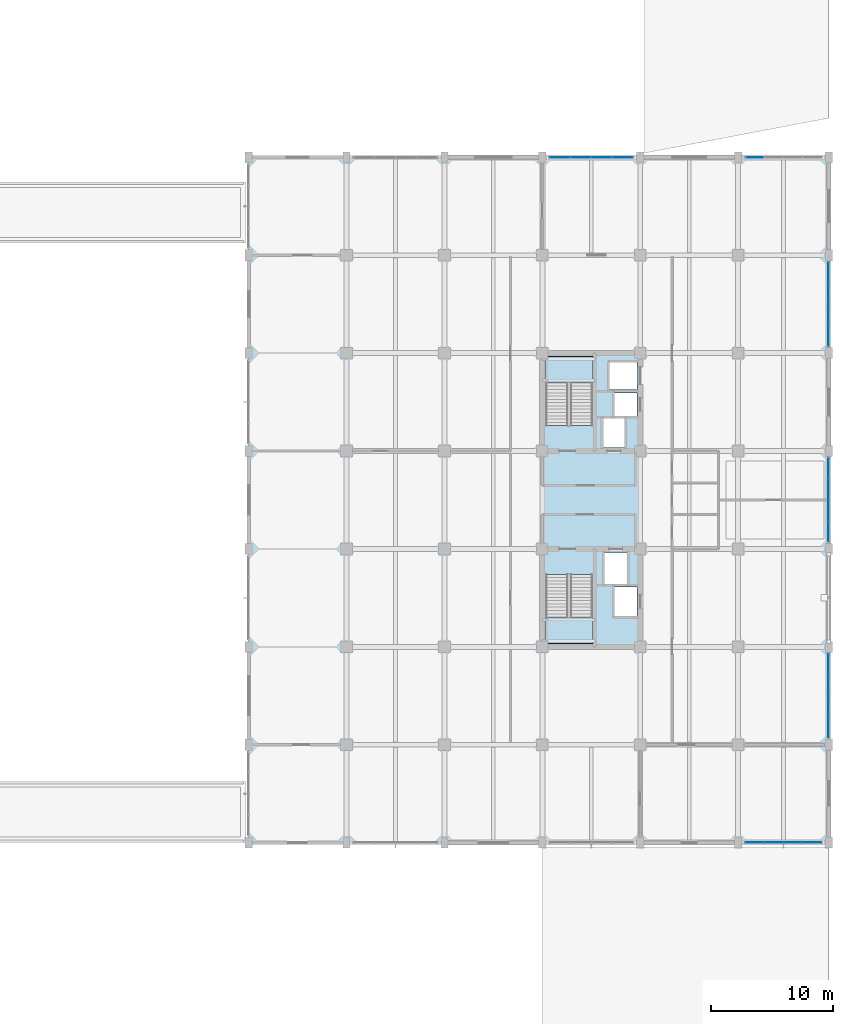
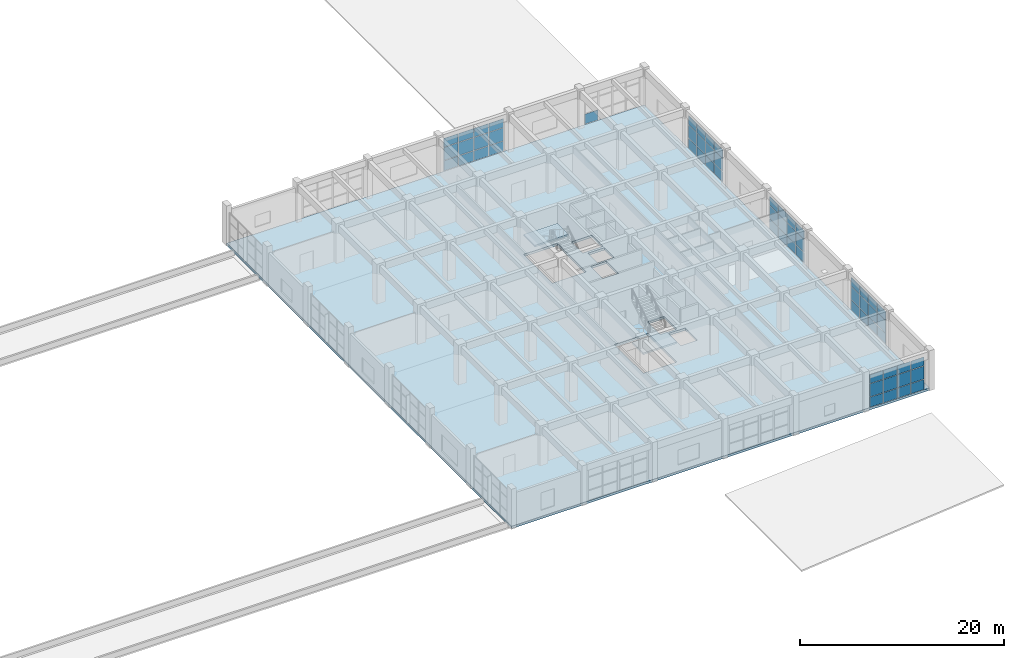
# One storey, part 45 of 63: 61 plates, 3 slabs, 8 elements without a shape of their own.
"""IFC4 building model written with IfcOpenShell, lengths in metres."""

from ifc_helpers import new_model, si_unit, direction, frame, origin, origin_2d, place, context, subcontext, project, spatial, polyline, rectangle, outline, extrude, material, layer, layer_set, type_object, element, aggregate, save


model = new_model("IFC4")

# Units and contexts
model_context = context("Model", 3, precision=1e-05, world=origin(), true_north=direction((0.0, 1.0)))
body_context = subcontext(model_context, "Body", "Model", "MODEL_VIEW")
ifc_project = project(units=[si_unit("LENGTHUNIT", "METRE"), si_unit("AREAUNIT", "SQUARE_METRE"), si_unit("VOLUMEUNIT", "CUBIC_METRE"), si_unit("PLANEANGLEUNIT", "RADIAN"), si_unit("MASSUNIT", "GRAM", prefix="KILO")], contexts=[model_context])

# Site, building, storey
site_placement = place(None, origin())
site = spatial("IfcSite", under=ifc_project, at=site_placement, CompositionType="ELEMENT")
building_placement = place(site_placement, origin())
building = spatial("IfcBuilding", under=site, at=building_placement, Name="Canggui Botanical Conservatory", CompositionType="ELEMENT")
storey_placement = place(building_placement, frame((0.0, 0.0, 10.199951171875)))
storey = spatial("IfcBuildingStorey", under=building, at=storey_placement, Name="L03", CompositionType="ELEMENT", Elevation=10.199951171875)

# Curtain wall, plates
ifc_material_1 = material(Name="Thermally Broken Aluminium", Category="aluminium")
ifc_layer_1 = layer(ifc_material_1, 0.14990234375, Name="Thermally Broken Aluminium", Category="aluminium")
ifc_layer_set_1 = layer_set([ifc_layer_1], Name="Thermally Broken Aluminium")
curtain_wall_type = type_object("IfcCurtainWallType", Name="CW-UNIT-C", PredefinedType="USERDEFINED", material=ifc_layer_set_1)
curtain_wall_1_placement = place(storey_placement, origin())
curtain_wall_1 = element("IfcCurtainWall", 1, at=curtain_wall_1_placement, inside=storey, type_object=curtain_wall_type, Name="Facade Curtain Wall CW-TWR-L03-01", ObjectType="UNITISED CURTAIN WALL", PredefinedType="USERDEFINED")
ifc_material_2 = material(Name="Low-E Insulated Glass", Category="glass")
ifc_layer_2 = layer(ifc_material_2, 0.033935546875, Name="Low-E Insulated Glass", Category="glass")
ifc_layer_set_2 = layer_set([ifc_layer_2], Name="Low-E Insulated Glass")
plate_type = type_object("IfcPlateType", Name="CWP-03", PredefinedType="CURTAIN_PANEL", material=ifc_layer_set_2)
plate_1_placement = place(storey_placement, frame((176.0400390625, 26.0, 0.05517578125), z_axis=(0.0, 0.0, 1.0), x_axis=(-1.0, 0.0, 0.0)))
plate_1 = element("IfcPlate", 2, at=plate_1_placement, type_object=plate_type, Name="CW-03 panel 1.1", PredefinedType="CURTAIN_PANEL", context=body_context, shape_type="SweptSolid", body=[
    extrude(rectangle(XDim=1.47998046875, YDim=0.033935546875, at=origin_2d()), origin(), (0.0, 0.0, 1.0), 1.197509765625),
])
plate_2_placement = place(storey_placement, frame((176.0400390625, 26.0, 1.3076171875), z_axis=(0.0, 0.0, 1.0), x_axis=(-1.0, 0.0, 0.0)))
plate_2 = element("IfcPlate", 3, at=plate_2_placement, type_object=plate_type, Name="CW-03 panel 1.2", PredefinedType="CURTAIN_PANEL", context=body_context, shape_type="SweptSolid", body=[
    extrude(rectangle(XDim=1.47998046875, YDim=0.033935546875, at=origin_2d()), origin(), (0.0, 0.0, 1.0), 1.544921875),
])
plate_3_placement = place(storey_placement, frame((176.0400390625, 26.0, 2.907470703125), z_axis=(0.0, 0.0, 1.0), x_axis=(-1.0, 0.0, 0.0)))
plate_3 = element("IfcPlate", 4, at=plate_3_placement, type_object=plate_type, Name="CW-03 panel 1.3", PredefinedType="CURTAIN_PANEL", context=body_context, shape_type="SweptSolid", body=[
    extrude(rectangle(XDim=1.47998046875, YDim=0.033935546875, at=origin_2d()), origin(), (0.0, 0.0, 1.0), 1.03759765625),
])
plate_4_placement = place(storey_placement, frame((174.485107421875, 26.0, 0.05517578125), z_axis=(0.0, 0.0, 1.0), x_axis=(-1.0, 0.0, 0.0)))
plate_4 = element("IfcPlate", 5, at=plate_4_placement, type_object=plate_type, Name="CW-03 panel 2.1", PredefinedType="CURTAIN_PANEL", context=body_context, shape_type="SweptSolid", body=[
    extrude(rectangle(XDim=1.510009765625, YDim=0.033935546875, at=origin_2d()), origin(), (0.0, 0.0, 1.0), 1.197509765625),
])
plate_5_placement = place(storey_placement, frame((174.485107421875, 26.0, 1.3076171875), z_axis=(0.0, 0.0, 1.0), x_axis=(-1.0, 0.0, 0.0)))
plate_5 = element("IfcPlate", 6, at=plate_5_placement, type_object=plate_type, Name="CW-03 panel 2.2", PredefinedType="CURTAIN_PANEL", context=body_context, shape_type="SweptSolid", body=[
    extrude(rectangle(XDim=1.510009765625, YDim=0.033935546875, at=origin_2d()), origin(), (0.0, 0.0, 1.0), 1.544921875),
])
plate_6_placement = place(storey_placement, frame((174.485107421875, 26.0, 2.907470703125), z_axis=(0.0, 0.0, 1.0), x_axis=(-1.0, 0.0, 0.0)))
plate_6 = element("IfcPlate", 7, at=plate_6_placement, type_object=plate_type, Name="CW-03 panel 2.3", PredefinedType="CURTAIN_PANEL", context=body_context, shape_type="SweptSolid", body=[
    extrude(rectangle(XDim=1.510009765625, YDim=0.033935546875, at=origin_2d()), origin(), (0.0, 0.0, 1.0), 1.03759765625),
])
plate_7_placement = place(storey_placement, frame((172.9150390625, 26.0, 0.05517578125), z_axis=(0.0, 0.0, 1.0), x_axis=(-1.0, 0.0, 0.0)))
plate_7 = element("IfcPlate", 8, at=plate_7_placement, type_object=plate_type, Name="CW-03 panel 3.1", PredefinedType="CURTAIN_PANEL", context=body_context, shape_type="SweptSolid", body=[
    extrude(rectangle(XDim=1.510009765625, YDim=0.033935546875, at=origin_2d()), origin(), (0.0, 0.0, 1.0), 1.197509765625),
])
plate_8_placement = place(storey_placement, frame((172.9150390625, 26.0, 1.3076171875), z_axis=(0.0, 0.0, 1.0), x_axis=(-1.0, 0.0, 0.0)))
plate_8 = element("IfcPlate", 9, at=plate_8_placement, type_object=plate_type, Name="CW-03 panel 3.2", PredefinedType="CURTAIN_PANEL", context=body_context, shape_type="SweptSolid", body=[
    extrude(rectangle(XDim=1.510009765625, YDim=0.033935546875, at=origin_2d()), origin(), (0.0, 0.0, 1.0), 1.544921875),
])
plate_9_placement = place(storey_placement, frame((172.9150390625, 26.0, 2.907470703125), z_axis=(0.0, 0.0, 1.0), x_axis=(-1.0, 0.0, 0.0)))
plate_9 = element("IfcPlate", 10, at=plate_9_placement, type_object=plate_type, Name="CW-03 panel 3.3", PredefinedType="CURTAIN_PANEL", context=body_context, shape_type="SweptSolid", body=[
    extrude(rectangle(XDim=1.510009765625, YDim=0.033935546875, at=origin_2d()), origin(), (0.0, 0.0, 1.0), 1.03759765625),
])
plate_10_placement = place(storey_placement, frame((171.360107421875, 26.0, 0.05517578125), z_axis=(0.0, 0.0, 1.0), x_axis=(-1.0, 0.0, 0.0)))
plate_10 = element("IfcPlate", 11, at=plate_10_placement, type_object=plate_type, Name="CW-03 panel 4.1", PredefinedType="CURTAIN_PANEL", context=body_context, shape_type="SweptSolid", body=[
    extrude(rectangle(XDim=1.47998046875, YDim=0.033935546875, at=origin_2d()), origin(), (0.0, 0.0, 1.0), 1.197509765625),
])
plate_11_placement = place(storey_placement, frame((171.360107421875, 26.0, 1.3076171875), z_axis=(0.0, 0.0, 1.0), x_axis=(-1.0, 0.0, 0.0)))
plate_11 = element("IfcPlate", 12, at=plate_11_placement, type_object=plate_type, Name="CW-03 panel 4.2", PredefinedType="CURTAIN_PANEL", context=body_context, shape_type="SweptSolid", body=[
    extrude(rectangle(XDim=1.47998046875, YDim=0.033935546875, at=origin_2d()), origin(), (0.0, 0.0, 1.0), 1.544921875),
])
plate_12_placement = place(storey_placement, frame((171.360107421875, 26.0, 2.907470703125), z_axis=(0.0, 0.0, 1.0), x_axis=(-1.0, 0.0, 0.0)))
plate_12 = element("IfcPlate", 13, at=plate_12_placement, type_object=plate_type, Name="CW-03 panel 4.3", PredefinedType="CURTAIN_PANEL", context=body_context, shape_type="SweptSolid", body=[
    extrude(rectangle(XDim=1.47998046875, YDim=0.033935546875, at=origin_2d()), origin(), (0.0, 0.0, 1.0), 1.03759765625),
])
aggregate(curtain_wall_1, [plate_1, plate_2, plate_3, plate_4, plate_5, plate_6, plate_7, plate_8, plate_9, plate_10, plate_11, plate_12])

curtain_wall_2_placement = place(storey_placement, origin())
curtain_wall_2 = element("IfcCurtainWall", 14, at=curtain_wall_2_placement, inside=storey, type_object=curtain_wall_type, Name="Facade Curtain Wall CW-TWR-L03-17", ObjectType="UNITISED CURTAIN WALL", PredefinedType="USERDEFINED")
plate_13_placement = place(storey_placement, frame((155.43505859375, 82.0, 0.05517578125), z_axis=(0.0, 0.0, 1.0), x_axis=(1.0, 0.0, 0.0)))
plate_13 = element("IfcPlate", 15, at=plate_13_placement, type_object=plate_type, Name="CW-03 panel 1.1", PredefinedType="CURTAIN_PANEL", context=body_context, shape_type="SweptSolid", body=[
    extrude(rectangle(XDim=1.6298828125, YDim=0.033935546875, at=origin_2d()), origin(), (0.0, 0.0, 1.0), 1.197509765625),
])
plate_14_placement = place(storey_placement, frame((155.43505859375, 82.0, 1.3076171875), z_axis=(0.0, 0.0, 1.0), x_axis=(1.0, 0.0, 0.0)))
plate_14 = element("IfcPlate", 16, at=plate_14_placement, type_object=plate_type, Name="CW-03 panel 1.2", PredefinedType="CURTAIN_PANEL", context=body_context, shape_type="SweptSolid", body=[
    extrude(rectangle(XDim=1.6298828125, YDim=0.033935546875, at=origin_2d()), origin(), (0.0, 0.0, 1.0), 1.544921875),
])
plate_15_placement = place(storey_placement, frame((155.43505859375, 82.0, 2.907470703125), z_axis=(0.0, 0.0, 1.0), x_axis=(1.0, 0.0, 0.0)))
plate_15 = element("IfcPlate", 17, at=plate_15_placement, type_object=plate_type, Name="CW-03 panel 1.3", PredefinedType="CURTAIN_PANEL", context=body_context, shape_type="SweptSolid", body=[
    extrude(rectangle(XDim=1.6298828125, YDim=0.033935546875, at=origin_2d()), origin(), (0.0, 0.0, 1.0), 1.03759765625),
])
plate_16_placement = place(storey_placement, frame((157.139892578125, 82.0, 0.05517578125), z_axis=(0.0, 0.0, 1.0), x_axis=(1.0, 0.0, 0.0)))
plate_16 = element("IfcPlate", 18, at=plate_16_placement, type_object=plate_type, Name="CW-03 panel 2.1", PredefinedType="CURTAIN_PANEL", context=body_context, shape_type="SweptSolid", body=[
    extrude(rectangle(XDim=1.659912109375, YDim=0.033935546875, at=origin_2d()), origin(), (0.0, 0.0, 1.0), 1.197509765625),
])
plate_17_placement = place(storey_placement, frame((157.139892578125, 82.0, 1.3076171875), z_axis=(0.0, 0.0, 1.0), x_axis=(1.0, 0.0, 0.0)))
plate_17 = element("IfcPlate", 19, at=plate_17_placement, type_object=plate_type, Name="CW-03 panel 2.2", PredefinedType="CURTAIN_PANEL", context=body_context, shape_type="SweptSolid", body=[
    extrude(rectangle(XDim=1.659912109375, YDim=0.033935546875, at=origin_2d()), origin(), (0.0, 0.0, 1.0), 1.544921875),
])
plate_18_placement = place(storey_placement, frame((157.139892578125, 82.0, 2.907470703125), z_axis=(0.0, 0.0, 1.0), x_axis=(1.0, 0.0, 0.0)))
plate_18 = element("IfcPlate", 20, at=plate_18_placement, type_object=plate_type, Name="CW-03 panel 2.3", PredefinedType="CURTAIN_PANEL", context=body_context, shape_type="SweptSolid", body=[
    extrude(rectangle(XDim=1.659912109375, YDim=0.033935546875, at=origin_2d()), origin(), (0.0, 0.0, 1.0), 1.03759765625),
])
plate_19_placement = place(storey_placement, frame((158.860107421875, 82.0, 0.05517578125), z_axis=(0.0, 0.0, 1.0), x_axis=(1.0, 0.0, 0.0)))
plate_19 = element("IfcPlate", 21, at=plate_19_placement, type_object=plate_type, Name="CW-03 panel 3.1", PredefinedType="CURTAIN_PANEL", context=body_context, shape_type="SweptSolid", body=[
    extrude(rectangle(XDim=1.659912109375, YDim=0.033935546875, at=origin_2d()), origin(), (0.0, 0.0, 1.0), 1.197509765625),
])
plate_20_placement = place(storey_placement, frame((158.860107421875, 82.0, 1.3076171875), z_axis=(0.0, 0.0, 1.0), x_axis=(1.0, 0.0, 0.0)))
plate_20 = element("IfcPlate", 22, at=plate_20_placement, type_object=plate_type, Name="CW-03 panel 3.2", PredefinedType="CURTAIN_PANEL", context=body_context, shape_type="SweptSolid", body=[
    extrude(rectangle(XDim=1.659912109375, YDim=0.033935546875, at=origin_2d()), origin(), (0.0, 0.0, 1.0), 1.544921875),
])
plate_21_placement = place(storey_placement, frame((158.860107421875, 82.0, 2.907470703125), z_axis=(0.0, 0.0, 1.0), x_axis=(1.0, 0.0, 0.0)))
plate_21 = element("IfcPlate", 23, at=plate_21_placement, type_object=plate_type, Name="CW-03 panel 3.3", PredefinedType="CURTAIN_PANEL", context=body_context, shape_type="SweptSolid", body=[
    extrude(rectangle(XDim=1.659912109375, YDim=0.033935546875, at=origin_2d()), origin(), (0.0, 0.0, 1.0), 1.03759765625),
])
plate_22_placement = place(storey_placement, frame((160.56494140625, 82.0, 0.05517578125), z_axis=(0.0, 0.0, 1.0), x_axis=(1.0, 0.0, 0.0)))
plate_22 = element("IfcPlate", 24, at=plate_22_placement, type_object=plate_type, Name="CW-03 panel 4.1", PredefinedType="CURTAIN_PANEL", context=body_context, shape_type="SweptSolid", body=[
    extrude(rectangle(XDim=1.6298828125, YDim=0.033935546875, at=origin_2d()), origin(), (0.0, 0.0, 1.0), 1.197509765625),
])
plate_23_placement = place(storey_placement, frame((160.56494140625, 82.0, 1.3076171875), z_axis=(0.0, 0.0, 1.0), x_axis=(1.0, 0.0, 0.0)))
plate_23 = element("IfcPlate", 25, at=plate_23_placement, type_object=plate_type, Name="CW-03 panel 4.2", PredefinedType="CURTAIN_PANEL", context=body_context, shape_type="SweptSolid", body=[
    extrude(rectangle(XDim=1.6298828125, YDim=0.033935546875, at=origin_2d()), origin(), (0.0, 0.0, 1.0), 1.544921875),
])
plate_24_placement = place(storey_placement, frame((160.56494140625, 82.0, 2.907470703125), z_axis=(0.0, 0.0, 1.0), x_axis=(1.0, 0.0, 0.0)))
plate_24 = element("IfcPlate", 26, at=plate_24_placement, type_object=plate_type, Name="CW-03 panel 4.3", PredefinedType="CURTAIN_PANEL", context=body_context, shape_type="SweptSolid", body=[
    extrude(rectangle(XDim=1.6298828125, YDim=0.033935546875, at=origin_2d()), origin(), (0.0, 0.0, 1.0), 1.03759765625),
])
aggregate(curtain_wall_2, [plate_13, plate_14, plate_15, plate_16, plate_17, plate_18, plate_19, plate_20, plate_21, plate_22, plate_23, plate_24])

# Curtain wall, plate
curtain_wall_3_placement = place(storey_placement, origin())
curtain_wall_3 = element("IfcCurtainWall", 27, at=curtain_wall_3_placement, inside=storey, type_object=curtain_wall_type, Name="Facade Curtain Wall CW-TWR-L03-19", ObjectType="UNITISED CURTAIN WALL", PredefinedType="USERDEFINED")
plate_25_placement = place(storey_placement, frame((171.360107421875, 82.0, 0.05517578125), z_axis=(0.0, 0.0, 1.0), x_axis=(1.0, 0.0, 0.0)))
plate_25 = element("IfcPlate", 28, at=plate_25_placement, type_object=plate_type, Name="CW-03 panel 1.1", PredefinedType="CURTAIN_PANEL", context=body_context, shape_type="SweptSolid", body=[
    extrude(rectangle(XDim=1.47998046875, YDim=0.033935546875, at=origin_2d()), origin(), (0.0, 0.0, 1.0), 1.197509765625),
])
aggregate(curtain_wall_3, [plate_25])

# Curtain wall, plates
curtain_wall_4_placement = place(storey_placement, origin())
curtain_wall_4 = element("IfcCurtainWall", 29, at=curtain_wall_4_placement, inside=storey, type_object=curtain_wall_type, Name="Facade Curtain Wall CW-TWR-L03-21", ObjectType="UNITISED CURTAIN WALL", PredefinedType="USERDEFINED")
plate_26_placement = place(storey_placement, frame((177.39990234375, 72.56494140625, 0.05517578125), z_axis=(0.0, 0.0, 1.0), x_axis=(0.0, -1.0, 0.0)))
plate_26 = element("IfcPlate", 30, at=plate_26_placement, type_object=plate_type, Name="CW-03 panel 1.1", PredefinedType="CURTAIN_PANEL", context=body_context, shape_type="SweptSolid", body=[
    extrude(rectangle(XDim=1.6298828125, YDim=0.033935546875, at=origin_2d()), origin(), (0.0, 0.0, 1.0), 1.197509765625),
])
plate_27_placement = place(storey_placement, frame((177.39990234375, 72.56494140625, 1.3076171875), z_axis=(0.0, 0.0, 1.0), x_axis=(0.0, -1.0, 0.0)))
plate_27 = element("IfcPlate", 31, at=plate_27_placement, type_object=plate_type, Name="CW-03 panel 1.2", PredefinedType="CURTAIN_PANEL", context=body_context, shape_type="SweptSolid", body=[
    extrude(rectangle(XDim=1.6298828125, YDim=0.033935546875, at=origin_2d()), origin(), (0.0, 0.0, 1.0), 1.544921875),
])
plate_28_placement = place(storey_placement, frame((177.39990234375, 72.56494140625, 2.907470703125), z_axis=(0.0, 0.0, 1.0), x_axis=(0.0, -1.0, 0.0)))
plate_28 = element("IfcPlate", 32, at=plate_28_placement, type_object=plate_type, Name="CW-03 panel 1.3", PredefinedType="CURTAIN_PANEL", context=body_context, shape_type="SweptSolid", body=[
    extrude(rectangle(XDim=1.6298828125, YDim=0.033935546875, at=origin_2d()), origin(), (0.0, 0.0, 1.0), 1.03759765625),
])
plate_29_placement = place(storey_placement, frame((177.39990234375, 70.860107421875, 0.05517578125), z_axis=(0.0, 0.0, 1.0), x_axis=(0.0, -1.0, 0.0)))
plate_29 = element("IfcPlate", 33, at=plate_29_placement, type_object=plate_type, Name="CW-03 panel 2.1", PredefinedType="CURTAIN_PANEL", context=body_context, shape_type="SweptSolid", body=[
    extrude(rectangle(XDim=1.659912109375, YDim=0.033935546875, at=origin_2d()), origin(), (0.0, 0.0, 1.0), 1.197509765625),
])
plate_30_placement = place(storey_placement, frame((177.39990234375, 70.860107421875, 1.3076171875), z_axis=(0.0, 0.0, 1.0), x_axis=(0.0, -1.0, 0.0)))
plate_30 = element("IfcPlate", 34, at=plate_30_placement, type_object=plate_type, Name="CW-03 panel 2.2", PredefinedType="CURTAIN_PANEL", context=body_context, shape_type="SweptSolid", body=[
    extrude(rectangle(XDim=1.659912109375, YDim=0.033935546875, at=origin_2d()), origin(), (0.0, 0.0, 1.0), 1.544921875),
])
plate_31_placement = place(storey_placement, frame((177.39990234375, 70.860107421875, 2.907470703125), z_axis=(0.0, 0.0, 1.0), x_axis=(0.0, -1.0, 0.0)))
plate_31 = element("IfcPlate", 35, at=plate_31_placement, type_object=plate_type, Name="CW-03 panel 2.3", PredefinedType="CURTAIN_PANEL", context=body_context, shape_type="SweptSolid", body=[
    extrude(rectangle(XDim=1.659912109375, YDim=0.033935546875, at=origin_2d()), origin(), (0.0, 0.0, 1.0), 1.03759765625),
])
plate_32_placement = place(storey_placement, frame((177.39990234375, 69.139892578125, 0.05517578125), z_axis=(0.0, 0.0, 1.0), x_axis=(0.0, -1.0, 0.0)))
plate_32 = element("IfcPlate", 36, at=plate_32_placement, type_object=plate_type, Name="CW-03 panel 3.1", PredefinedType="CURTAIN_PANEL", context=body_context, shape_type="SweptSolid", body=[
    extrude(rectangle(XDim=1.659912109375, YDim=0.033935546875, at=origin_2d()), origin(), (0.0, 0.0, 1.0), 1.197509765625),
])
plate_33_placement = place(storey_placement, frame((177.39990234375, 69.139892578125, 1.3076171875), z_axis=(0.0, 0.0, 1.0), x_axis=(0.0, -1.0, 0.0)))
plate_33 = element("IfcPlate", 37, at=plate_33_placement, type_object=plate_type, Name="CW-03 panel 3.2", PredefinedType="CURTAIN_PANEL", context=body_context, shape_type="SweptSolid", body=[
    extrude(rectangle(XDim=1.659912109375, YDim=0.033935546875, at=origin_2d()), origin(), (0.0, 0.0, 1.0), 1.544921875),
])
plate_34_placement = place(storey_placement, frame((177.39990234375, 69.139892578125, 2.907470703125), z_axis=(0.0, 0.0, 1.0), x_axis=(0.0, -1.0, 0.0)))
plate_34 = element("IfcPlate", 38, at=plate_34_placement, type_object=plate_type, Name="CW-03 panel 3.3", PredefinedType="CURTAIN_PANEL", context=body_context, shape_type="SweptSolid", body=[
    extrude(rectangle(XDim=1.659912109375, YDim=0.033935546875, at=origin_2d()), origin(), (0.0, 0.0, 1.0), 1.03759765625),
])
plate_35_placement = place(storey_placement, frame((177.39990234375, 67.43505859375, 0.05517578125), z_axis=(0.0, 0.0, 1.0), x_axis=(0.0, -1.0, 0.0)))
plate_35 = element("IfcPlate", 39, at=plate_35_placement, type_object=plate_type, Name="CW-03 panel 4.1", PredefinedType="CURTAIN_PANEL", context=body_context, shape_type="SweptSolid", body=[
    extrude(rectangle(XDim=1.6298828125, YDim=0.033935546875, at=origin_2d()), origin(), (0.0, 0.0, 1.0), 1.197509765625),
])
plate_36_placement = place(storey_placement, frame((177.39990234375, 67.43505859375, 1.3076171875), z_axis=(0.0, 0.0, 1.0), x_axis=(0.0, -1.0, 0.0)))
plate_36 = element("IfcPlate", 40, at=plate_36_placement, type_object=plate_type, Name="CW-03 panel 4.2", PredefinedType="CURTAIN_PANEL", context=body_context, shape_type="SweptSolid", body=[
    extrude(rectangle(XDim=1.6298828125, YDim=0.033935546875, at=origin_2d()), origin(), (0.0, 0.0, 1.0), 1.544921875),
])
plate_37_placement = place(storey_placement, frame((177.39990234375, 67.43505859375, 2.907470703125), z_axis=(0.0, 0.0, 1.0), x_axis=(0.0, -1.0, 0.0)))
plate_37 = element("IfcPlate", 41, at=plate_37_placement, type_object=plate_type, Name="CW-03 panel 4.3", PredefinedType="CURTAIN_PANEL", context=body_context, shape_type="SweptSolid", body=[
    extrude(rectangle(XDim=1.6298828125, YDim=0.033935546875, at=origin_2d()), origin(), (0.0, 0.0, 1.0), 1.03759765625),
])
aggregate(curtain_wall_4, [plate_26, plate_27, plate_28, plate_29, plate_30, plate_31, plate_32, plate_33, plate_34, plate_35, plate_36, plate_37])

curtain_wall_5_placement = place(storey_placement, origin())
curtain_wall_5 = element("IfcCurtainWall", 42, at=curtain_wall_5_placement, inside=storey, type_object=curtain_wall_type, Name="Facade Curtain Wall CW-TWR-L03-23", ObjectType="UNITISED CURTAIN WALL", PredefinedType="USERDEFINED")
plate_38_placement = place(storey_placement, frame((177.39990234375, 56.56494140625, 0.05517578125), z_axis=(0.0, 0.0, 1.0), x_axis=(0.0, -1.0, 0.0)))
plate_38 = element("IfcPlate", 43, at=plate_38_placement, type_object=plate_type, Name="CW-03 panel 1.1", PredefinedType="CURTAIN_PANEL", context=body_context, shape_type="SweptSolid", body=[
    extrude(rectangle(XDim=1.6298828125, YDim=0.033935546875, at=origin_2d()), origin(), (0.0, 0.0, 1.0), 1.197509765625),
])
plate_39_placement = place(storey_placement, frame((177.39990234375, 56.56494140625, 1.3076171875), z_axis=(0.0, 0.0, 1.0), x_axis=(0.0, -1.0, 0.0)))
plate_39 = element("IfcPlate", 44, at=plate_39_placement, type_object=plate_type, Name="CW-03 panel 1.2", PredefinedType="CURTAIN_PANEL", context=body_context, shape_type="SweptSolid", body=[
    extrude(rectangle(XDim=1.6298828125, YDim=0.033935546875, at=origin_2d()), origin(), (0.0, 0.0, 1.0), 1.544921875),
])
plate_40_placement = place(storey_placement, frame((177.39990234375, 56.56494140625, 2.907470703125), z_axis=(0.0, 0.0, 1.0), x_axis=(0.0, -1.0, 0.0)))
plate_40 = element("IfcPlate", 45, at=plate_40_placement, type_object=plate_type, Name="CW-03 panel 1.3", PredefinedType="CURTAIN_PANEL", context=body_context, shape_type="SweptSolid", body=[
    extrude(rectangle(XDim=1.6298828125, YDim=0.033935546875, at=origin_2d()), origin(), (0.0, 0.0, 1.0), 1.03759765625),
])
plate_41_placement = place(storey_placement, frame((177.39990234375, 54.860107421875, 0.05517578125), z_axis=(0.0, 0.0, 1.0), x_axis=(0.0, -1.0, 0.0)))
plate_41 = element("IfcPlate", 46, at=plate_41_placement, type_object=plate_type, Name="CW-03 panel 2.1", PredefinedType="CURTAIN_PANEL", context=body_context, shape_type="SweptSolid", body=[
    extrude(rectangle(XDim=1.659912109375, YDim=0.033935546875, at=origin_2d()), origin(), (0.0, 0.0, 1.0), 1.197509765625),
])
plate_42_placement = place(storey_placement, frame((177.39990234375, 54.860107421875, 1.3076171875), z_axis=(0.0, 0.0, 1.0), x_axis=(0.0, -1.0, 0.0)))
plate_42 = element("IfcPlate", 47, at=plate_42_placement, type_object=plate_type, Name="CW-03 panel 2.2", PredefinedType="CURTAIN_PANEL", context=body_context, shape_type="SweptSolid", body=[
    extrude(rectangle(XDim=1.659912109375, YDim=0.033935546875, at=origin_2d()), origin(), (0.0, 0.0, 1.0), 1.544921875),
])
plate_43_placement = place(storey_placement, frame((177.39990234375, 54.860107421875, 2.907470703125), z_axis=(0.0, 0.0, 1.0), x_axis=(0.0, -1.0, 0.0)))
plate_43 = element("IfcPlate", 48, at=plate_43_placement, type_object=plate_type, Name="CW-03 panel 2.3", PredefinedType="CURTAIN_PANEL", context=body_context, shape_type="SweptSolid", body=[
    extrude(rectangle(XDim=1.659912109375, YDim=0.033935546875, at=origin_2d()), origin(), (0.0, 0.0, 1.0), 1.03759765625),
])
plate_44_placement = place(storey_placement, frame((177.39990234375, 53.139892578125, 0.05517578125), z_axis=(0.0, 0.0, 1.0), x_axis=(0.0, -1.0, 0.0)))
plate_44 = element("IfcPlate", 49, at=plate_44_placement, type_object=plate_type, Name="CW-03 panel 3.1", PredefinedType="CURTAIN_PANEL", context=body_context, shape_type="SweptSolid", body=[
    extrude(rectangle(XDim=1.659912109375, YDim=0.033935546875, at=origin_2d()), origin(), (0.0, 0.0, 1.0), 1.197509765625),
])
plate_45_placement = place(storey_placement, frame((177.39990234375, 53.139892578125, 1.3076171875), z_axis=(0.0, 0.0, 1.0), x_axis=(0.0, -1.0, 0.0)))
plate_45 = element("IfcPlate", 50, at=plate_45_placement, type_object=plate_type, Name="CW-03 panel 3.2", PredefinedType="CURTAIN_PANEL", context=body_context, shape_type="SweptSolid", body=[
    extrude(rectangle(XDim=1.659912109375, YDim=0.033935546875, at=origin_2d()), origin(), (0.0, 0.0, 1.0), 1.544921875),
])
plate_46_placement = place(storey_placement, frame((177.39990234375, 53.139892578125, 2.907470703125), z_axis=(0.0, 0.0, 1.0), x_axis=(0.0, -1.0, 0.0)))
plate_46 = element("IfcPlate", 51, at=plate_46_placement, type_object=plate_type, Name="CW-03 panel 3.3", PredefinedType="CURTAIN_PANEL", context=body_context, shape_type="SweptSolid", body=[
    extrude(rectangle(XDim=1.659912109375, YDim=0.033935546875, at=origin_2d()), origin(), (0.0, 0.0, 1.0), 1.03759765625),
])
plate_47_placement = place(storey_placement, frame((177.39990234375, 51.43505859375, 0.05517578125), z_axis=(0.0, 0.0, 1.0), x_axis=(0.0, -1.0, 0.0)))
plate_47 = element("IfcPlate", 52, at=plate_47_placement, type_object=plate_type, Name="CW-03 panel 4.1", PredefinedType="CURTAIN_PANEL", context=body_context, shape_type="SweptSolid", body=[
    extrude(rectangle(XDim=1.6298828125, YDim=0.033935546875, at=origin_2d()), origin(), (0.0, 0.0, 1.0), 1.197509765625),
])
plate_48_placement = place(storey_placement, frame((177.39990234375, 51.43505859375, 1.3076171875), z_axis=(0.0, 0.0, 1.0), x_axis=(0.0, -1.0, 0.0)))
plate_48 = element("IfcPlate", 53, at=plate_48_placement, type_object=plate_type, Name="CW-03 panel 4.2", PredefinedType="CURTAIN_PANEL", context=body_context, shape_type="SweptSolid", body=[
    extrude(rectangle(XDim=1.6298828125, YDim=0.033935546875, at=origin_2d()), origin(), (0.0, 0.0, 1.0), 1.544921875),
])
plate_49_placement = place(storey_placement, frame((177.39990234375, 51.43505859375, 2.907470703125), z_axis=(0.0, 0.0, 1.0), x_axis=(0.0, -1.0, 0.0)))
plate_49 = element("IfcPlate", 54, at=plate_49_placement, type_object=plate_type, Name="CW-03 panel 4.3", PredefinedType="CURTAIN_PANEL", context=body_context, shape_type="SweptSolid", body=[
    extrude(rectangle(XDim=1.6298828125, YDim=0.033935546875, at=origin_2d()), origin(), (0.0, 0.0, 1.0), 1.03759765625),
])
aggregate(curtain_wall_5, [plate_38, plate_39, plate_40, plate_41, plate_42, plate_43, plate_44, plate_45, plate_46, plate_47, plate_48, plate_49])

curtain_wall_6_placement = place(storey_placement, origin())
curtain_wall_6 = element("IfcCurtainWall", 55, at=curtain_wall_6_placement, inside=storey, type_object=curtain_wall_type, Name="Facade Curtain Wall CW-TWR-L03-25", ObjectType="UNITISED CURTAIN WALL", PredefinedType="USERDEFINED")
plate_50_placement = place(storey_placement, frame((177.39990234375, 40.56494140625, 0.05517578125), z_axis=(0.0, 0.0, 1.0), x_axis=(0.0, -1.0, 0.0)))
plate_50 = element("IfcPlate", 56, at=plate_50_placement, type_object=plate_type, Name="CW-03 panel 1.1", PredefinedType="CURTAIN_PANEL", context=body_context, shape_type="SweptSolid", body=[
    extrude(rectangle(XDim=1.6298828125, YDim=0.033935546875, at=origin_2d()), origin(), (0.0, 0.0, 1.0), 1.197509765625),
])
plate_51_placement = place(storey_placement, frame((177.39990234375, 40.56494140625, 1.3076171875), z_axis=(0.0, 0.0, 1.0), x_axis=(0.0, -1.0, 0.0)))
plate_51 = element("IfcPlate", 57, at=plate_51_placement, type_object=plate_type, Name="CW-03 panel 1.2", PredefinedType="CURTAIN_PANEL", context=body_context, shape_type="SweptSolid", body=[
    extrude(rectangle(XDim=1.6298828125, YDim=0.033935546875, at=origin_2d()), origin(), (0.0, 0.0, 1.0), 1.544921875),
])
plate_52_placement = place(storey_placement, frame((177.39990234375, 40.56494140625, 2.907470703125), z_axis=(0.0, 0.0, 1.0), x_axis=(0.0, -1.0, 0.0)))
plate_52 = element("IfcPlate", 58, at=plate_52_placement, type_object=plate_type, Name="CW-03 panel 1.3", PredefinedType="CURTAIN_PANEL", context=body_context, shape_type="SweptSolid", body=[
    extrude(rectangle(XDim=1.6298828125, YDim=0.033935546875, at=origin_2d()), origin(), (0.0, 0.0, 1.0), 1.03759765625),
])
plate_53_placement = place(storey_placement, frame((177.39990234375, 38.860107421875, 0.05517578125), z_axis=(0.0, 0.0, 1.0), x_axis=(0.0, -1.0, 0.0)))
plate_53 = element("IfcPlate", 59, at=plate_53_placement, type_object=plate_type, Name="CW-03 panel 2.1", PredefinedType="CURTAIN_PANEL", context=body_context, shape_type="SweptSolid", body=[
    extrude(rectangle(XDim=1.659912109375, YDim=0.033935546875, at=origin_2d()), origin(), (0.0, 0.0, 1.0), 1.197509765625),
])
plate_54_placement = place(storey_placement, frame((177.39990234375, 38.860107421875, 1.3076171875), z_axis=(0.0, 0.0, 1.0), x_axis=(0.0, -1.0, 0.0)))
plate_54 = element("IfcPlate", 60, at=plate_54_placement, type_object=plate_type, Name="CW-03 panel 2.2", PredefinedType="CURTAIN_PANEL", context=body_context, shape_type="SweptSolid", body=[
    extrude(rectangle(XDim=1.659912109375, YDim=0.033935546875, at=origin_2d()), origin(), (0.0, 0.0, 1.0), 1.544921875),
])
plate_55_placement = place(storey_placement, frame((177.39990234375, 38.860107421875, 2.907470703125), z_axis=(0.0, 0.0, 1.0), x_axis=(0.0, -1.0, 0.0)))
plate_55 = element("IfcPlate", 61, at=plate_55_placement, type_object=plate_type, Name="CW-03 panel 2.3", PredefinedType="CURTAIN_PANEL", context=body_context, shape_type="SweptSolid", body=[
    extrude(rectangle(XDim=1.659912109375, YDim=0.033935546875, at=origin_2d()), origin(), (0.0, 0.0, 1.0), 1.03759765625),
])
plate_56_placement = place(storey_placement, frame((177.39990234375, 37.139892578125, 0.05517578125), z_axis=(0.0, 0.0, 1.0), x_axis=(0.0, -1.0, 0.0)))
plate_56 = element("IfcPlate", 62, at=plate_56_placement, type_object=plate_type, Name="CW-03 panel 3.1", PredefinedType="CURTAIN_PANEL", context=body_context, shape_type="SweptSolid", body=[
    extrude(rectangle(XDim=1.659912109375, YDim=0.033935546875, at=origin_2d()), origin(), (0.0, 0.0, 1.0), 1.197509765625),
])
plate_57_placement = place(storey_placement, frame((177.39990234375, 37.139892578125, 1.3076171875), z_axis=(0.0, 0.0, 1.0), x_axis=(0.0, -1.0, 0.0)))
plate_57 = element("IfcPlate", 63, at=plate_57_placement, type_object=plate_type, Name="CW-03 panel 3.2", PredefinedType="CURTAIN_PANEL", context=body_context, shape_type="SweptSolid", body=[
    extrude(rectangle(XDim=1.659912109375, YDim=0.033935546875, at=origin_2d()), origin(), (0.0, 0.0, 1.0), 1.544921875),
])
plate_58_placement = place(storey_placement, frame((177.39990234375, 37.139892578125, 2.907470703125), z_axis=(0.0, 0.0, 1.0), x_axis=(0.0, -1.0, 0.0)))
plate_58 = element("IfcPlate", 64, at=plate_58_placement, type_object=plate_type, Name="CW-03 panel 3.3", PredefinedType="CURTAIN_PANEL", context=body_context, shape_type="SweptSolid", body=[
    extrude(rectangle(XDim=1.659912109375, YDim=0.033935546875, at=origin_2d()), origin(), (0.0, 0.0, 1.0), 1.03759765625),
])
plate_59_placement = place(storey_placement, frame((177.39990234375, 35.43505859375, 0.05517578125), z_axis=(0.0, 0.0, 1.0), x_axis=(0.0, -1.0, 0.0)))
plate_59 = element("IfcPlate", 65, at=plate_59_placement, type_object=plate_type, Name="CW-03 panel 4.1", PredefinedType="CURTAIN_PANEL", context=body_context, shape_type="SweptSolid", body=[
    extrude(rectangle(XDim=1.6298828125, YDim=0.033935546875, at=origin_2d()), origin(), (0.0, 0.0, 1.0), 1.197509765625),
])
plate_60_placement = place(storey_placement, frame((177.39990234375, 35.43505859375, 1.3076171875), z_axis=(0.0, 0.0, 1.0), x_axis=(0.0, -1.0, 0.0)))
plate_60 = element("IfcPlate", 66, at=plate_60_placement, type_object=plate_type, Name="CW-03 panel 4.2", PredefinedType="CURTAIN_PANEL", context=body_context, shape_type="SweptSolid", body=[
    extrude(rectangle(XDim=1.6298828125, YDim=0.033935546875, at=origin_2d()), origin(), (0.0, 0.0, 1.0), 1.544921875),
])
plate_61_placement = place(storey_placement, frame((177.39990234375, 35.43505859375, 2.907470703125), z_axis=(0.0, 0.0, 1.0), x_axis=(0.0, -1.0, 0.0)))
plate_61 = element("IfcPlate", 67, at=plate_61_placement, type_object=plate_type, Name="CW-03 panel 4.3", PredefinedType="CURTAIN_PANEL", context=body_context, shape_type="SweptSolid", body=[
    extrude(rectangle(XDim=1.6298828125, YDim=0.033935546875, at=origin_2d()), origin(), (0.0, 0.0, 1.0), 1.03759765625),
])
aggregate(curtain_wall_6, [plate_50, plate_51, plate_52, plate_53, plate_54, plate_55, plate_56, plate_57, plate_58, plate_59, plate_60, plate_61])

# Slab
ifc_material_3 = material(Name="Concrete C35", Category="concrete")
ifc_layer_3 = layer(ifc_material_3, 0.280029296875, Name="Concrete C35", Category="concrete")
ifc_layer_set_3 = layer_set([ifc_layer_3], Name="Concrete C35")
slab_type_1 = type_object("IfcSlabType", Name="SLAB-F280", PredefinedType="FLOOR", material=ifc_layer_set_3)
slab_1_placement = place(storey_placement, frame((0.0, 0.0, -0.280029296875)))
element("IfcSlab", 68, at=slab_1_placement, inside=storey, type_object=slab_type_1, Name="Research Tower L03 Floor Slab", PredefinedType="FLOOR", context=body_context, shape_type="SweptSolid", body=[
    extrude(outline(polyline([(130.0, 26.0), (177.39990234375, 26.0), (177.39990234375, 82.0), (130.0, 82.0), (130.0, 26.0)]), holes=[polyline([(154.300048828125, 47.91943359375), (154.300048828125, 42.260009765625), (158.1201171875, 42.260009765625), (158.1201171875, 47.91943359375), (154.300048828125, 47.91943359375)]), polyline([(158.1201171875, 60.08056640625), (158.1201171875, 65.739990234375), (154.300048828125, 65.739990234375), (154.300048828125, 60.08056640625), (158.1201171875, 60.08056640625)]), polyline([(159.050048828125, 47.14990234375), (160.949951171875, 47.14990234375), (160.949951171875, 49.64990234375), (159.050048828125, 49.64990234375), (159.050048828125, 47.14990234375)]), polyline([(159.85009765625, 44.5), (161.75, 44.5), (161.75, 46.89990234375), (159.85009765625, 46.89990234375), (159.85009765625, 44.5)]), polyline([(158.949951171875, 58.300048828125), (160.75, 58.300048828125), (160.75, 60.64990234375), (158.949951171875, 60.64990234375), (158.949951171875, 58.300048828125)]), polyline([(159.85009765625, 60.85009765625), (161.75, 60.85009765625), (161.75, 62.75), (159.85009765625, 62.75), (159.85009765625, 60.85009765625)]), polyline([(159.449951171875, 63.050048828125), (161.75, 63.050048828125), (161.75, 65.25), (159.449951171875, 65.25), (159.449951171875, 63.050048828125)])]), origin(), (0.0, 0.0, 1.0), 0.280029296875),
])

# Stair, slab
stair_type = type_object("IfcStairType", Name="STR-TYPE-4", PredefinedType="HALF_TURN_STAIR", material=ifc_material_3)
stair_1_placement = place(storey_placement, origin())
stair_1 = element("IfcStair", 69, at=stair_1_placement, inside=storey, type_object=stair_type, Name="L03 Tower South Smoke-Proof Stair ST-T1", PredefinedType="HALF_TURN_STAIR")
ifc_layer_4 = layer(ifc_material_3, 0.199951171875, Name="Concrete C35", Category="concrete")
ifc_layer_set_4 = layer_set([ifc_layer_4], Name="Concrete C35")
slab_type_2 = type_object("IfcSlabType", Name="SLAB-LND-200", PredefinedType="LANDING", material=ifc_layer_set_4)
slab_2_placement = place(storey_placement, frame((0.0, 0.0, 2.199951171875)))
slab_2 = element("IfcSlab", 70, at=slab_2_placement, type_object=slab_type_2, Name="ST-T1 landing 1", PredefinedType="LANDING", context=body_context, shape_type="SweptSolid", body=[
    extrude(outline(polyline([(154.300048828125, 44.4365234375), (154.300048828125, 42.260009765625), (158.1201171875, 42.260009765625), (158.1201171875, 44.4365234375), (154.300048828125, 44.4365234375)])), origin(), (0.0, 0.0, 1.0), 0.2001953125),
])
aggregate(stair_1, [slab_2])

stair_2_placement = place(storey_placement, origin())
stair_2 = element("IfcStair", 71, at=stair_2_placement, inside=storey, type_object=stair_type, Name="L03 Tower North Smoke-Proof Stair ST-T2", PredefinedType="HALF_TURN_STAIR")
slab_3_placement = place(storey_placement, frame((0.0, 0.0, 2.199951171875)))
slab_3 = element("IfcSlab", 72, at=slab_3_placement, type_object=slab_type_2, Name="ST-T2 landing 1", PredefinedType="LANDING", context=body_context, shape_type="SweptSolid", body=[
    extrude(outline(polyline([(158.1201171875, 63.5634765625), (158.1201171875, 65.739990234375), (154.300048828125, 65.739990234375), (154.300048828125, 63.5634765625), (158.1201171875, 63.5634765625)])), origin(), (0.0, 0.0, 1.0), 0.2001953125),
])
aggregate(stair_2, [slab_3])

save(model, "model.ifc")
